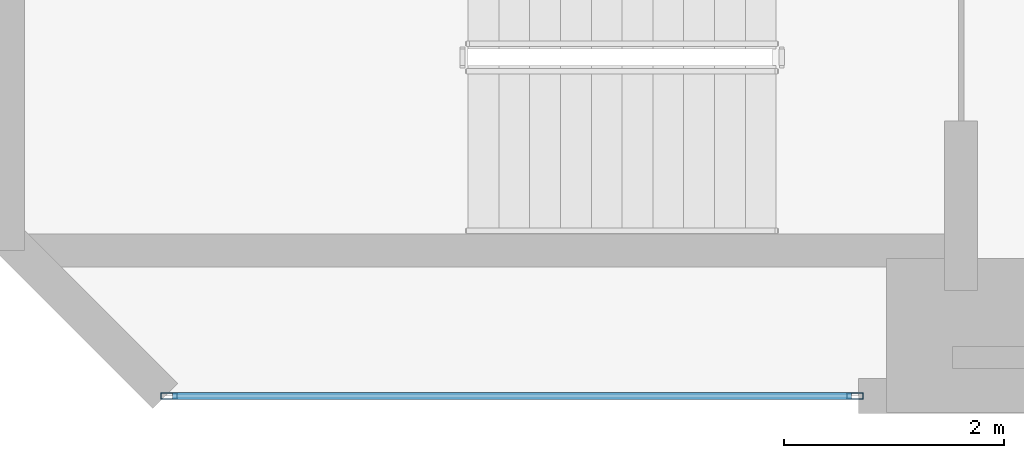
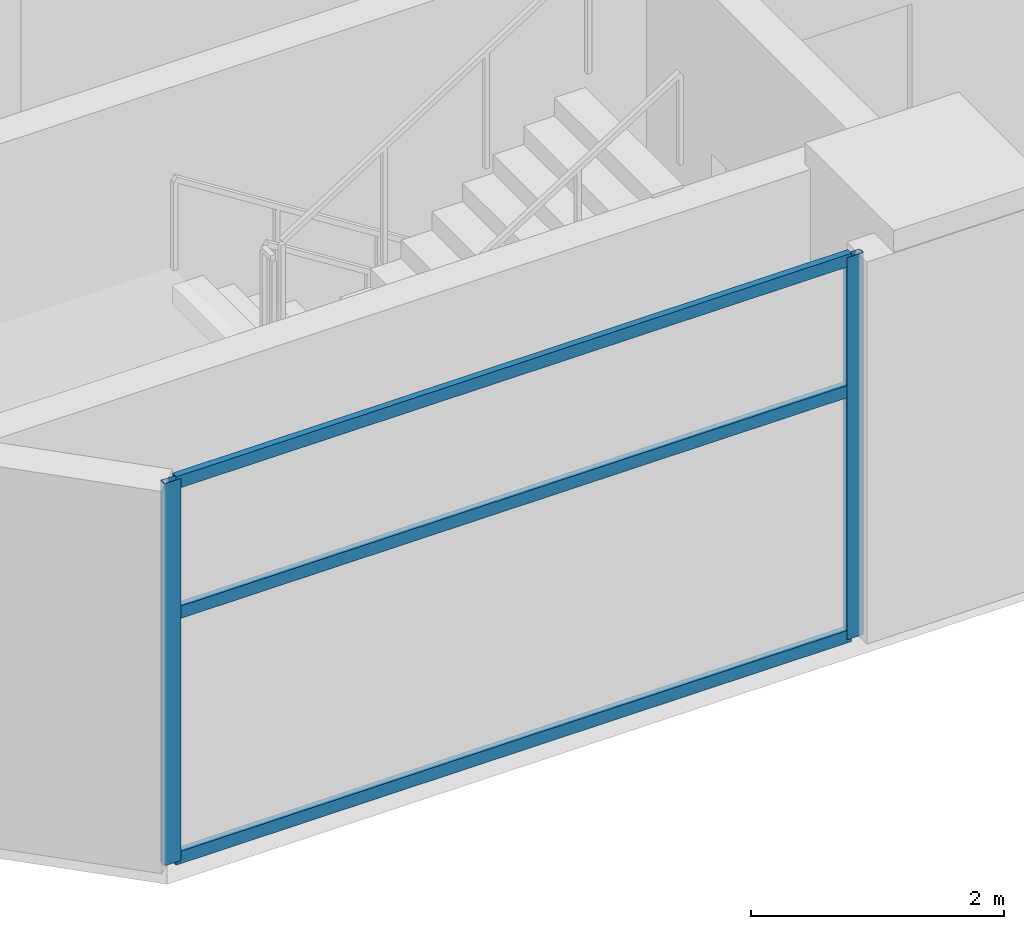
# One storey, part 2 of 17: 5 members, 1 element without a shape of its own.
"""IFC4 building model written with IfcOpenShell, lengths in metres."""

from ifc_helpers import new_model, si_unit, direction, frame, origin, origin_2d, place, context, subcontext, project, spatial, hollow_rectangle, extrude, material, layer, layer_set, material_profile, profile_set, type_object, element, aggregate, save


model = new_model("IFC4")

# Units and contexts
model_context = context("Model", 3, precision=1e-05, world=origin(), true_north=direction((0.0, 1.0)))
body_context = subcontext(model_context, "Body", "Model", "MODEL_VIEW")
ifc_project = project(units=[si_unit("LENGTHUNIT", "METRE"), si_unit("AREAUNIT", "SQUARE_METRE"), si_unit("VOLUMEUNIT", "CUBIC_METRE"), si_unit("PLANEANGLEUNIT", "RADIAN"), si_unit("MASSUNIT", "GRAM", prefix="KILO")], contexts=[model_context])

# Site, building, storey
site_placement = place(None, origin())
site = spatial("IfcSite", under=ifc_project, at=site_placement, CompositionType="ELEMENT")
building_placement = place(site_placement, origin())
building = spatial("IfcBuilding", under=site, at=building_placement, Name="Mawjaban Terraces University", CompositionType="ELEMENT")
storey_placement = place(building_placement, frame((0.0, 0.0, 70.0)))
storey = spatial("IfcBuildingStorey", under=building, at=storey_placement, Name="L16", CompositionType="ELEMENT", Elevation=70.0)

# Curtain wall, members
ifc_material_1 = material(Name="Anodised aluminium 6063-T6 and solar-control low-E glass", Category="aluminium")
ifc_layer = layer(ifc_material_1, 0.1650390625)
ifc_layer_set = layer_set([ifc_layer], Name="Anodised aluminium 6063-T6 and solar-control low-E glass")
curtain_wall_type = type_object("IfcCurtainWallType", Name="CWSystem_04_EastWing", PredefinedType="NOTDEFINED", material=ifc_layer_set)
curtain_wall_placement = place(storey_placement, origin())
curtain_wall = element("IfcCurtainWall", 1, at=curtain_wall_placement, inside=storey, type_object=curtain_wall_type, Name="L16 Curtain Wall CW-04 Run 1.1", PredefinedType="NOTDEFINED")
ifc_material_2 = material(Name="Anodised aluminium 6063-T6", Category="aluminium")
ifc_material_profile_1 = material_profile(ifc_material_2, hollow_rectangle(XDim=0.06005859375, YDim=0.14990234375, WallThickness=0.00390625, at=origin_2d()), Name="ALU150X60X4")
ifc_profile_set_1 = profile_set([ifc_material_profile_1], Name="Anodised aluminium 6063-T6")
member_type_1 = type_object("IfcMemberType", Name="Mullion_CW-04", PredefinedType="MULLION", material=ifc_profile_set_1)
member_1_placement = place(storey_placement, frame((24.532470703125, 0.0, 0.0), z_axis=(0.0, 0.0, 1.0), x_axis=(0.0, 1.0, 0.0)))
member_1 = element("IfcMember", 2, at=member_1_placement, type_object=member_type_1, Name="CW-04 mullion 1", PredefinedType="MULLION", context=body_context, shape_type="SweptSolid", body=[
    extrude(hollow_rectangle(XDim=0.06005859375, YDim=0.14990234375, WallThickness=0.00390625, at=origin_2d()), origin(), (0.0, 0.0, 1.0), 3.68994140625),
])
member_2_placement = place(storey_placement, frame((30.767578125, 0.0, 0.0), z_axis=(0.0, 0.0, 1.0), x_axis=(0.0, 1.0, 0.0)))
member_2 = element("IfcMember", 3, at=member_2_placement, type_object=member_type_1, Name="CW-04 mullion 2", PredefinedType="MULLION", context=body_context, shape_type="SweptSolid", body=[
    extrude(hollow_rectangle(XDim=0.06005859375, YDim=0.14990234375, WallThickness=0.00390625, at=origin_2d()), origin(), (0.0, 0.0, 1.0), 3.68994140625),
])
ifc_material_profile_2 = material_profile(ifc_material_2, hollow_rectangle(XDim=0.06005859375, YDim=0.1201171875, WallThickness=0.00341796875, at=origin_2d()), Name="ALU120X60X3.5")
ifc_profile_set_2 = profile_set([ifc_material_profile_2], Name="Anodised aluminium 6063-T6")
member_type_2 = type_object("IfcMemberType", Name="Transom_CW-04", PredefinedType="NOTDEFINED", material=ifc_profile_set_2)
member_3_placement = place(storey_placement, frame((24.56494140625, 0.0, 0.030029296875), z_axis=(1.0, 0.0, 0.0), x_axis=(0.0, 1.0, 0.0)))
member_3 = element("IfcMember", 4, at=member_3_placement, type_object=member_type_2, Name="CW-04 transom 1.1", ObjectType="TRANSOM", PredefinedType="USERDEFINED", context=body_context, shape_type="SweptSolid", body=[
    extrude(hollow_rectangle(XDim=0.06005859375, YDim=0.1201171875, WallThickness=0.00341796875, at=origin_2d()), origin(), (0.0, 0.0, 1.0), 6.170166015625),
])
member_4_placement = place(storey_placement, frame((24.56494140625, 0.0, 2.39794921875), z_axis=(1.0, 0.0, 0.0), x_axis=(0.0, 1.0, 0.0)))
member_4 = element("IfcMember", 5, at=member_4_placement, type_object=member_type_2, Name="CW-04 transom 1.2", ObjectType="TRANSOM", PredefinedType="USERDEFINED", context=body_context, shape_type="SweptSolid", body=[
    extrude(hollow_rectangle(XDim=0.06005859375, YDim=0.1201171875, WallThickness=0.00341796875, at=origin_2d()), origin(), (0.0, 0.0, 1.0), 6.170166015625),
])
member_5_placement = place(storey_placement, frame((24.56494140625, 0.0, 3.659912109375), z_axis=(1.0, 0.0, 0.0), x_axis=(0.0, 1.0, 0.0)))
member_5 = element("IfcMember", 6, at=member_5_placement, type_object=member_type_2, Name="CW-04 transom 1.3", ObjectType="TRANSOM", PredefinedType="USERDEFINED", context=body_context, shape_type="SweptSolid", body=[
    extrude(hollow_rectangle(XDim=0.06005859375, YDim=0.1201171875, WallThickness=0.00341796875, at=origin_2d()), origin(), (0.0, 0.0, 1.0), 6.170166015625),
])
aggregate(curtain_wall, [member_1, member_2, member_3, member_4, member_5])

save(model, "model.ifc")
